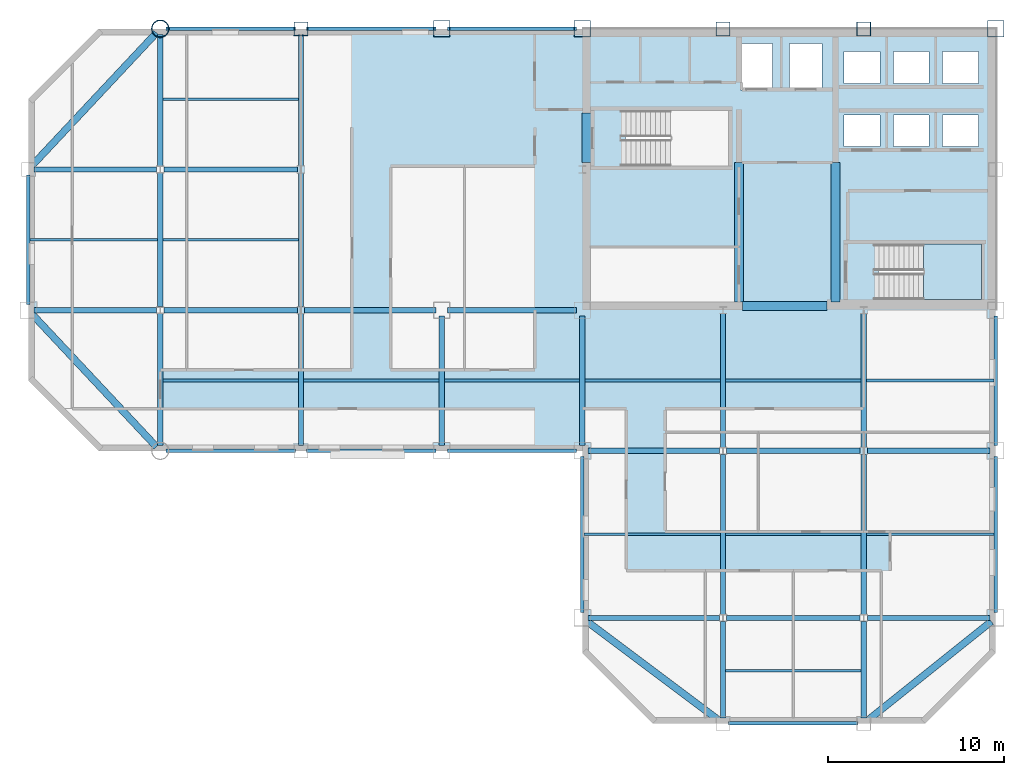
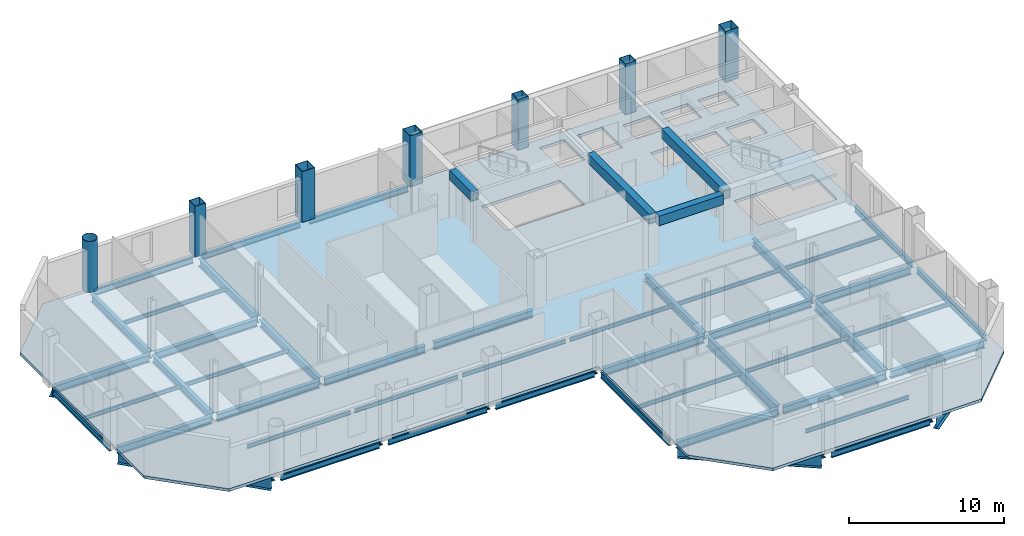
# One storey, part 3 of 9: 58 beams, 7 columns, 2 slabs, 1 element without a shape of its own.
"""IFC4 building model written with IfcOpenShell, lengths in metres."""

import ifcopenshell
import ifcopenshell.guid

model = None  # the IFC model being written
_history = None  # IfcOwnerHistory: only IFC2X3 demands one
_inside = {}  # id of a spatial element -> (the spatial element, [elements in it])
_under = {}  # id of a project, library or spatial element -> (it, [spatial elements below it])
_declared = {}  # id of a project -> (the project, [libraries it declares])
_typed = {}  # id of a type object -> (the type object, [elements of that type])
_made_of = {}  # id of a material, layer set ... -> (it, [elements and type objects made of it])


def new_model(schema):
    """Start an empty IFC model of exactly this schema.

    Asked for "IFC4X3", IfcOpenShell would pick the latest addendum, in which some entities
    have other attributes; the version numbers below select the first issue.
    IFC2X3 requires an IfcOwnerHistory on every rooted entity: one is made here for all.
    """
    global model, _history
    if schema == "IFC4X3":
        model = ifcopenshell.file(schema_version=(4, 3, 0, 0))
    else:
        model = ifcopenshell.file(schema=schema)
    _inside.clear()
    _under.clear()
    _declared.clear()
    _typed.clear()
    _made_of.clear()
    _history = None
    if model.schema == "IFC2X3":
        org = make("IfcOrganization", Name="unknown")
        user = make(
            "IfcPersonAndOrganization",
            ThePerson=make("IfcPerson", FamilyName="unknown"),
            TheOrganization=org,
        )
        app = make(
            "IfcApplication",
            ApplicationDeveloper=org,
            Version="unknown",
            ApplicationFullName="unknown",
            ApplicationIdentifier="unknown",
        )
        _history = make(
            "IfcOwnerHistory",
            OwningUser=user,
            OwningApplication=app,
            ChangeAction="ADDED",
            CreationDate=0,
        )
    return model


def make(cls, **values):
    """One entity of the class cls with the attributes given. An attribute that is None is left unset."""
    return model.create_entity(
        cls, **{name: value for name, value in values.items() if value is not None}
    )


def rooted(cls, **values):
    """An entity with a GlobalId (a new one), such as an element, a storey or a relation."""
    return make(cls, GlobalId=ifcopenshell.guid.new(), OwnerHistory=_history, **values)


def si_unit(unit_type, name, prefix=None):
    """IfcSIUnit, for example si_unit("LENGTHUNIT", "METRE", prefix="MILLI")."""
    return make("IfcSIUnit", UnitType=unit_type, Prefix=prefix, Name=name)


def assignment(units):
    """IfcUnitAssignment: the units of a project."""
    return None if units is None else make("IfcUnitAssignment", Units=units)


def point(xyz):
    """IfcCartesianPoint."""
    return None if xyz is None else make("IfcCartesianPoint", Coordinates=xyz)


def direction(xyz):
    """IfcDirection."""
    return None if xyz is None else make("IfcDirection", DirectionRatios=xyz)


def frame(location, z_axis=None, x_axis=None):
    """IfcAxis2Placement3D, a coordinate frame: its origin and axes. An axis left out is left unset."""
    return make(
        "IfcAxis2Placement3D",
        Location=point(location),
        Axis=direction(z_axis),
        RefDirection=direction(x_axis),
    )


def frame_2d(location, x_axis=None):
    """IfcAxis2Placement2D, a coordinate frame in the plane: its origin and x axis."""
    return make(
        "IfcAxis2Placement2D", Location=point(location), RefDirection=direction(x_axis)
    )


def origin():
    """The frame at (0, 0, 0) with its axes left unset."""
    return frame((0.0, 0.0, 0.0))


def origin_2d():
    """The frame at (0, 0) in the plane with its x axis left unset."""
    return frame_2d((0.0, 0.0))


def place(relative_to, where):
    """IfcLocalPlacement: puts the frame where relative to a parent placement (None: the world)."""
    return make(
        "IfcLocalPlacement", PlacementRelTo=relative_to, RelativePlacement=where
    )


def context(
    kind, dimensions, precision=None, world=None, true_north=None, identifier=None
):
    """IfcGeometricRepresentationContext, for example the 3D "Model" context."""
    return make(
        "IfcGeometricRepresentationContext",
        ContextIdentifier=identifier,
        ContextType=kind,
        CoordinateSpaceDimension=dimensions,
        Precision=precision,
        WorldCoordinateSystem=world,
        TrueNorth=true_north,
    )


def subcontext(parent, identifier, kind, view, scale=None):
    """IfcGeometricRepresentationSubContext, for example "Body" below "Model"."""
    return make(
        "IfcGeometricRepresentationSubContext",
        ContextIdentifier=identifier,
        ContextType=kind,
        ParentContext=parent,
        TargetScale=scale,
        TargetView=view,
    )


def project(units=None, contexts=None):
    """IfcProject with its units and contexts."""
    return rooted(
        "IfcProject",
        Name="project",
        RepresentationContexts=contexts,
        UnitsInContext=assignment(units),
    )


def spatial(cls, under=None, at=None, **own):
    """A site, building, storey or space (cls), placed at a placement, below another one or the project."""
    s = rooted(cls, ObjectPlacement=at, **own)
    if under is not None:
        _under.setdefault(under.id(), (under, []))[1].append(s)
    return s


def polyline(points):
    """IfcPolyline through the points."""
    return make("IfcPolyline", Points=[point(p) for p in points])


def profile(cls, at=None, kind="AREA", **sizes):
    """A parametric profile (cls). Its sizes go by their IFC names, for example OverallWidth=200.0."""
    return make(cls, ProfileType=kind, Position=at, **sizes)


def rectangle(**sizes):
    """IfcRectangleProfileDef."""
    return profile("IfcRectangleProfileDef", **sizes)


def hollow_rectangle(**sizes):
    """IfcRectangleHollowProfileDef."""
    return profile("IfcRectangleHollowProfileDef", **sizes)


def hollow_circle(**sizes):
    """IfcCircleHollowProfileDef."""
    return profile("IfcCircleHollowProfileDef", **sizes)


def i_section(**sizes):
    """IfcIShapeProfileDef."""
    return profile("IfcIShapeProfileDef", **sizes)


def outline(outer, holes=None, kind="AREA"):
    """IfcArbitraryClosedProfileDef: a profile drawn as a closed curve; with holes, ...WithVoids."""
    if holes is None:
        return make("IfcArbitraryClosedProfileDef", ProfileType=kind, OuterCurve=outer)
    return make(
        "IfcArbitraryProfileDefWithVoids",
        ProfileType=kind,
        OuterCurve=outer,
        InnerCurves=holes,
    )


def extrude(swept, where, along, depth):
    """IfcExtrudedAreaSolid: the profile swept, set in the frame where, extruded along a direction by depth."""
    return make(
        "IfcExtrudedAreaSolid",
        SweptArea=swept,
        Position=where,
        ExtrudedDirection=direction(along),
        Depth=depth,
    )


def shape(context_of_items, identifier, shape_type, items):
    """IfcShapeRepresentation: the items that make up one representation, for example the "Body"."""
    return make(
        "IfcShapeRepresentation",
        ContextOfItems=context_of_items,
        RepresentationIdentifier=identifier,
        RepresentationType=shape_type,
        Items=items,
    )


def material(Name=None, Category=None):
    """IfcMaterial."""
    return make("IfcMaterial", Name=Name, Category=Category)


def layer(
    of_material, thickness, ventilated=None, Name=None, Category=None, Priority=None
):
    """IfcMaterialLayer: one layer of a wall or slab, of a material (None: an air gap)."""
    return make(
        "IfcMaterialLayer",
        Material=of_material,
        LayerThickness=thickness,
        IsVentilated=ventilated,
        Name=Name,
        Category=Category,
        Priority=Priority,
    )


def layer_set(layers, Name=None):
    """IfcMaterialLayerSet."""
    return make("IfcMaterialLayerSet", MaterialLayers=layers, LayerSetName=Name)


def material_profile(
    of_material, cross_section, Name=None, Category=None, Priority=None
):
    """IfcMaterialProfile: a cross section and its material."""
    return make(
        "IfcMaterialProfile",
        Name=Name,
        Material=of_material,
        Profile=cross_section,
        Priority=Priority,
        Category=Category,
    )


def profile_set(profiles, Name=None, composite=None):
    """IfcMaterialProfileSet."""
    return make(
        "IfcMaterialProfileSet",
        Name=Name,
        MaterialProfiles=profiles,
        CompositeProfile=composite,
    )


def made_of(thing, what):
    """Note that an element or type object is made of a material, layer set ...; save() writes the relation."""
    if what is not None:
        _made_of.setdefault(what.id(), (what, []))[1].append(thing)
    return thing


def type_object(cls, material=None, **own):
    """A type object (cls), such as IfcWallType, which elements share."""
    return made_of(rooted(cls, **own), material)


def element(
    cls,
    number,
    at=None,
    inside=None,
    cuts=None,
    type_object=None,
    material=None,
    context=None,
    identifier="Body",
    shape_type=None,
    held_by="IfcProductDefinitionShape",
    body=None,
    shapes=None,
    **own,
):
    """One element of the class cls, such as IfcWall. Its Tag is "e" and its number.

    at: its placement. inside: the storey or other place that contains it. cuts: it is an
    opening in that element (IfcRelVoidsElement). A single representation is given by context,
    identifier, shape_type and body (its items); several are given by shapes. held_by: the class
    of the entity that holds the representations. save() writes the other relations.
    """
    e = rooted(cls, Tag="e%d" % number, ObjectPlacement=at, **own)
    if body is not None:
        shapes = [shape(context, identifier, shape_type, body)]
    if shapes is not None:
        e.Representation = make(held_by, Representations=shapes)
    if inside is not None:
        _inside.setdefault(inside.id(), (inside, []))[1].append(e)
    if cuts is not None:
        rooted(
            "IfcRelVoidsElement", RelatingBuildingElement=cuts, RelatedOpeningElement=e
        )
    if type_object is not None:
        _typed.setdefault(type_object.id(), (type_object, []))[1].append(e)
    return made_of(e, material)


def aggregate(whole, parts):
    """IfcRelAggregates: a whole, such as a stair, and the parts it consists of."""
    return rooted("IfcRelAggregates", RelatingObject=whole, RelatedObjects=parts)


def save(model, path):
    """Write the relations noted so far, then the file.

    IfcRelAggregates (storeys below a building ...), IfcRelContainedInSpatialStructure (elements
    in a storey), IfcRelDefinesByType, IfcRelAssociatesMaterial and IfcRelDeclares: one each for
    every whole, place, type object, material and project.
    """
    for whole, parts in _under.values():
        aggregate(whole, parts)
    for where, things in _inside.values():
        rooted(
            "IfcRelContainedInSpatialStructure",
            RelatedElements=things,
            RelatingStructure=where,
        )
    for kind, things in _typed.values():
        rooted("IfcRelDefinesByType", RelatedObjects=things, RelatingType=kind)
    for what, things in _made_of.values():
        rooted("IfcRelAssociatesMaterial", RelatedObjects=things, RelatingMaterial=what)
    for by, libraries in _declared.values():
        rooted("IfcRelDeclares", RelatingContext=by, RelatedDefinitions=libraries)
    model.write(path)


model = new_model("IFC4")

# Units and contexts
model_context = context("Model", 3, precision=1e-05, world=origin(), true_north=direction((0.0, 1.0)))
body_context = subcontext(model_context, "Body", "Model", "MODEL_VIEW")
ifc_project = project(units=[si_unit("LENGTHUNIT", "METRE"), si_unit("AREAUNIT", "SQUARE_METRE"), si_unit("VOLUMEUNIT", "CUBIC_METRE"), si_unit("PLANEANGLEUNIT", "RADIAN"), si_unit("MASSUNIT", "GRAM", prefix="KILO")], contexts=[model_context])

# Site, building, storey
site_placement = place(None, origin())
site = spatial("IfcSite", under=ifc_project, at=site_placement, CompositionType="ELEMENT")
building_placement = place(site_placement, origin())
building = spatial("IfcBuilding", under=site, at=building_placement, Name="Qianrong Seaharbour Tower", CompositionType="ELEMENT")
storey_placement = place(building_placement, frame((0.0, 0.0, 269.800048828125)))
storey = spatial("IfcBuildingStorey", under=building, at=storey_placement, Name="L65", CompositionType="ELEMENT", Elevation=269.800048828125)

# Columns
ifc_material_1 = material(Name="Structural steel SN490B", Category="steel")
ifc_material_profile_1 = material_profile(ifc_material_1, hollow_rectangle(XDim=0.949951171875, YDim=0.949951171875, WallThickness=0.035888671875, at=origin_2d()), Name="BOX950x950x36")
ifc_profile_set_1 = profile_set([ifc_material_profile_1], Name="Structural steel SN490B")
column_type_1 = type_object("IfcColumnType", Name="COL-CFT-950", PredefinedType="COLUMN", material=ifc_profile_set_1)
for number, where, z_axis, x_axis, name in (
    (1, (32.5, 52.0, 0.0), (0.0, 0.0, 1.0), (1.0, 0.0, 0.0), "L65 Column MC-4 at G5/GH"),
    (2, (40.5, 52.0, 0.0), (0.0, 0.0, 1.0), (1.0, 0.0, 0.0), "L65 Column MC-4 at G6/GH"),
    (3, (64.0, 52.0, 0.0), (0.0, 0.0, 1.0), (1.0, 0.0, 0.0), "L65 Column MC-4 at G9/GH"),
):
    element("IfcColumn", number, at=place(storey_placement, frame(where, z_axis=z_axis, x_axis=x_axis)), inside=storey, type_object=column_type_1, Name=name, PredefinedType="COLUMN", context=body_context, shape_type="SweptSolid", body=[
        extrude(hollow_rectangle(XDim=0.949951171875, YDim=0.949951171875, WallThickness=0.035888671875, at=origin_2d()), origin(), (0.0, 0.0, 1.0), 4.0),
    ])
ifc_material_profile_2 = material_profile(ifc_material_1, hollow_circle(Radius=0.5, WallThickness=0.035888671875, at=origin_2d()), Name="CHS1000x36")
ifc_profile_set_2 = profile_set([ifc_material_profile_2], Name="Structural steel SN490B")
column_type_2 = type_object("IfcColumnType", Name="COL-CHS-1000", PredefinedType="COLUMN", material=ifc_profile_set_2)
column_placement = place(storey_placement, frame((16.5, 52.0, 0.0), z_axis=(0.0, 0.0, 1.0), x_axis=(1.0, 0.0, 0.0)))
element("IfcColumn", 4, at=column_placement, inside=storey, type_object=column_type_2, Name="L65 Column CC-2 at G3/GH", PredefinedType="COLUMN", context=body_context, shape_type="SweptSolid", body=[
    extrude(hollow_circle(Radius=0.5, WallThickness=0.035888671875, at=origin_2d()), origin(), (0.0, 0.0, 1.0), 4.0),
])
ifc_material_profile_3 = material_profile(ifc_material_1, hollow_rectangle(XDim=0.800048828125, YDim=0.800048828125, WallThickness=0.031982421875, at=origin_2d()), Name="BOX800x800x32")
ifc_profile_set_3 = profile_set([ifc_material_profile_3], Name="Structural steel SN490B")
column_type_3 = type_object("IfcColumnType", Name="COL-PER-800", PredefinedType="COLUMN", material=ifc_profile_set_3)
for number, where, z_axis, x_axis, name in (
    (5, (24.5, 52.0, 0.0), (0.0, 0.0, 1.0), (1.0, 0.0, 0.0), "L65 Column PC-3 at G4/GH"),
    (6, (48.5, 52.0, 0.0), (0.0, 0.0, 1.0), (1.0, 0.0, 0.0), "L65 Column PC-3 at G7/GH"),
    (7, (56.5, 52.0, 0.0), (0.0, 0.0, 1.0), (1.0, 0.0, 0.0), "L65 Column PC-3 at G8/GH"),
):
    element("IfcColumn", number, at=place(storey_placement, frame(where, z_axis=z_axis, x_axis=x_axis)), inside=storey, type_object=column_type_3, Name=name, PredefinedType="COLUMN", context=body_context, shape_type="SweptSolid", body=[
        extrude(hollow_rectangle(XDim=0.800048828125, YDim=0.800048828125, WallThickness=0.031982421875, at=origin_2d()), origin(), (0.0, 0.0, 1.0), 4.0),
    ])

# Beams
ifc_material_profile_4 = material_profile(ifc_material_1, i_section(OverallWidth=0.300048828125, OverallDepth=0.587890625, WebThickness=0.011962890625, FlangeThickness=0.02001953125, FilletRadius=0.02392578125, at=origin_2d()), Name="H588x300x12x20")
ifc_profile_set_4 = profile_set([ifc_material_profile_4], Name="Structural steel SN490B")
beam_type_1 = type_object("IfcBeamType", Name="BM-G-588", PredefinedType="BEAM", material=ifc_profile_set_4)
beam_1_placement = place(storey_placement, frame((40.820068359375, 18.5, -0.51904296875), z_axis=(1.0, 0.0, 0.0), x_axis=(0.0, 1.0, 0.0)))
element("IfcBeam", 8, at=beam_1_placement, inside=storey, type_object=beam_type_1, Name="L65 Primary Girder GD G6-G7", PredefinedType="BEAM", context=body_context, shape_type="SweptSolid", body=[
    extrude(i_section(OverallWidth=0.300048828125, OverallDepth=0.587890625, WebThickness=0.011962890625, FlangeThickness=0.02001953125, FilletRadius=0.02392578125, at=origin_2d()), origin(), (0.0, 0.0, 1.0), 7.47998046875),
])
beam_2_placement = place(storey_placement, frame((48.699951171875, 18.5, -0.51904296875), z_axis=(1.0, 0.0, 0.0), x_axis=(0.0, 1.0, 0.0)))
element("IfcBeam", 9, at=beam_2_placement, inside=storey, type_object=beam_type_1, Name="L65 Primary Girder GD G7-G8", PredefinedType="BEAM", context=body_context, shape_type="SweptSolid", body=[
    extrude(i_section(OverallWidth=0.300048828125, OverallDepth=0.587890625, WebThickness=0.011962890625, FlangeThickness=0.02001953125, FilletRadius=0.02392578125, at=origin_2d()), origin(), (0.0, 0.0, 1.0), 7.60009765625),
])
beam_3_placement = place(storey_placement, frame((56.699951171875, 18.5, -0.51904296875), z_axis=(1.0, 0.0, 0.0), x_axis=(0.0, 1.0, 0.0)))
element("IfcBeam", 10, at=beam_3_placement, inside=storey, type_object=beam_type_1, Name="L65 Primary Girder GD G8-G9", PredefinedType="BEAM", context=body_context, shape_type="SweptSolid", body=[
    extrude(i_section(OverallWidth=0.300048828125, OverallDepth=0.587890625, WebThickness=0.011962890625, FlangeThickness=0.02001953125, FilletRadius=0.02392578125, at=origin_2d()), origin(), (0.0, 0.0, 1.0), 6.97998046875),
])
beam_4_placement = place(storey_placement, frame((40.820068359375, 28.0, -0.51904296875), z_axis=(1.0, 0.0, 0.0), x_axis=(0.0, 1.0, 0.0)))
element("IfcBeam", 11, at=beam_4_placement, inside=storey, type_object=beam_type_1, Name="L65 Primary Girder GE G6-G7", PredefinedType="BEAM", context=body_context, shape_type="SweptSolid", body=[
    extrude(i_section(OverallWidth=0.300048828125, OverallDepth=0.587890625, WebThickness=0.011962890625, FlangeThickness=0.02001953125, FilletRadius=0.02392578125, at=origin_2d()), origin(), (0.0, 0.0, 1.0), 7.47998046875),
])
beam_5_placement = place(storey_placement, frame((48.699951171875, 28.0, -0.51904296875), z_axis=(1.0, 0.0, 0.0), x_axis=(0.0, 1.0, 0.0)))
element("IfcBeam", 12, at=beam_5_placement, inside=storey, type_object=beam_type_1, Name="L65 Primary Girder GE G7-G8", PredefinedType="BEAM", context=body_context, shape_type="SweptSolid", body=[
    extrude(i_section(OverallWidth=0.300048828125, OverallDepth=0.587890625, WebThickness=0.011962890625, FlangeThickness=0.02001953125, FilletRadius=0.02392578125, at=origin_2d()), origin(), (0.0, 0.0, 1.0), 7.60009765625),
])
for number, where, z_axis, x_axis, name in (
    (13, (56.699951171875, 28.0, -0.51904296875), (1.0, 0.0, 0.0), (0.0, 1.0, 0.0), "L65 Primary Girder GE G8-G9"),
    (14, (9.320068359375, 36.0, -0.51904296875), (1.0, 0.0, 0.0), (0.0, 1.0, 0.0), "L65 Primary Girder GF G2-G3"),
):
    element("IfcBeam", number, at=place(storey_placement, frame(where, z_axis=z_axis, x_axis=x_axis)), inside=storey, type_object=beam_type_1, Name=name, PredefinedType="BEAM", context=body_context, shape_type="SweptSolid", body=[
        extrude(i_section(OverallWidth=0.300048828125, OverallDepth=0.587890625, WebThickness=0.011962890625, FlangeThickness=0.02001953125, FilletRadius=0.02392578125, at=origin_2d()), origin(), (0.0, 0.0, 1.0), 6.97998046875),
    ])
beam_6_placement = place(storey_placement, frame((16.699951171875, 36.0, -0.51904296875), z_axis=(1.0, 0.0, 0.0), x_axis=(0.0, 1.0, 0.0)))
element("IfcBeam", 15, at=beam_6_placement, inside=storey, type_object=beam_type_1, Name="L65 Primary Girder GF G3-G4", PredefinedType="BEAM", context=body_context, shape_type="SweptSolid", body=[
    extrude(i_section(OverallWidth=0.300048828125, OverallDepth=0.587890625, WebThickness=0.011962890625, FlangeThickness=0.02001953125, FilletRadius=0.02392578125, at=origin_2d()), origin(), (0.0, 0.0, 1.0), 7.60009765625),
])
beam_7_placement = place(storey_placement, frame((24.699951171875, 36.0, -0.51904296875), z_axis=(1.0, 0.0, 0.0), x_axis=(0.0, 1.0, 0.0)))
element("IfcBeam", 16, at=beam_7_placement, inside=storey, type_object=beam_type_1, Name="L65 Primary Girder GF G4-G5", PredefinedType="BEAM", context=body_context, shape_type="SweptSolid", body=[
    extrude(i_section(OverallWidth=0.300048828125, OverallDepth=0.587890625, WebThickness=0.011962890625, FlangeThickness=0.02001953125, FilletRadius=0.02392578125, at=origin_2d()), origin(), (0.0, 0.0, 1.0), 7.47998046875),
])
beam_8_placement = place(storey_placement, frame((32.820068359375, 36.0, -0.51904296875), z_axis=(1.0, 0.0, 0.0), x_axis=(0.0, 1.0, 0.0)))
element("IfcBeam", 17, at=beam_8_placement, inside=storey, type_object=beam_type_1, Name="L65 Primary Girder GF G5-G6", PredefinedType="BEAM", context=body_context, shape_type="SweptSolid", body=[
    extrude(i_section(OverallWidth=0.300048828125, OverallDepth=0.587890625, WebThickness=0.011962890625, FlangeThickness=0.02001953125, FilletRadius=0.02392578125, at=origin_2d()), origin(), (0.0, 0.0, 1.0), 7.35986328125),
])
beam_9_placement = place(storey_placement, frame((9.320068359375, 44.0, -0.51904296875), z_axis=(1.0, 0.0, 0.0), x_axis=(0.0, 1.0, 0.0)))
element("IfcBeam", 18, at=beam_9_placement, inside=storey, type_object=beam_type_1, Name="L65 Primary Girder GG G2-G3", PredefinedType="BEAM", context=body_context, shape_type="SweptSolid", body=[
    extrude(i_section(OverallWidth=0.300048828125, OverallDepth=0.587890625, WebThickness=0.011962890625, FlangeThickness=0.02001953125, FilletRadius=0.02392578125, at=origin_2d()), origin(), (0.0, 0.0, 1.0), 6.97998046875),
])
beam_10_placement = place(storey_placement, frame((16.699951171875, 44.0, -0.51904296875), z_axis=(1.0, 0.0, 0.0), x_axis=(0.0, 1.0, 0.0)))
element("IfcBeam", 19, at=beam_10_placement, inside=storey, type_object=beam_type_1, Name="L65 Primary Girder GG G3-G4", PredefinedType="BEAM", context=body_context, shape_type="SweptSolid", body=[
    extrude(i_section(OverallWidth=0.300048828125, OverallDepth=0.587890625, WebThickness=0.011962890625, FlangeThickness=0.02001953125, FilletRadius=0.02392578125, at=origin_2d()), origin(), (0.0, 0.0, 1.0), 7.60009765625),
])
beam_11_placement = place(storey_placement, frame((16.5, 28.320068359375, -0.51904296875), z_axis=(0.0, 1.0, 0.0), x_axis=(-1.0, 0.0, 0.0)))
element("IfcBeam", 20, at=beam_11_placement, inside=storey, type_object=beam_type_1, Name="L65 Primary Girder G3 GE-GF", PredefinedType="BEAM", context=body_context, shape_type="SweptSolid", body=[
    extrude(i_section(OverallWidth=0.300048828125, OverallDepth=0.587890625, WebThickness=0.011962890625, FlangeThickness=0.02001953125, FilletRadius=0.02392578125, at=origin_2d()), origin(), (0.0, 0.0, 1.0), 7.47998046875),
])
beam_12_placement = place(storey_placement, frame((16.5, 36.199951171875, -0.51904296875), z_axis=(0.0, 1.0, 0.0), x_axis=(-1.0, 0.0, 0.0)))
element("IfcBeam", 21, at=beam_12_placement, inside=storey, type_object=beam_type_1, Name="L65 Primary Girder G3 GF-GG", PredefinedType="BEAM", context=body_context, shape_type="SweptSolid", body=[
    extrude(i_section(OverallWidth=0.300048828125, OverallDepth=0.587890625, WebThickness=0.011962890625, FlangeThickness=0.02001953125, FilletRadius=0.02392578125, at=origin_2d()), origin(), (0.0, 0.0, 1.0), 7.60009765625),
])
for number, where, z_axis, x_axis, name in (
    (22, (16.5, 44.199951171875, -0.51904296875), (0.0, 1.0, 0.0), (-1.0, 0.0, 0.0), "L65 Primary Girder G3 GG-GH"),
    (23, (24.5, 28.320068359375, -0.51904296875), (0.0, 1.0, 0.0), (-1.0, 0.0, 0.0), "L65 Primary Girder G4 GE-GF"),
):
    element("IfcBeam", number, at=place(storey_placement, frame(where, z_axis=z_axis, x_axis=x_axis)), inside=storey, type_object=beam_type_1, Name=name, PredefinedType="BEAM", context=body_context, shape_type="SweptSolid", body=[
        extrude(i_section(OverallWidth=0.300048828125, OverallDepth=0.587890625, WebThickness=0.011962890625, FlangeThickness=0.02001953125, FilletRadius=0.02392578125, at=origin_2d()), origin(), (0.0, 0.0, 1.0), 7.47998046875),
    ])
beam_13_placement = place(storey_placement, frame((24.5, 36.199951171875, -0.51904296875), z_axis=(0.0, 1.0, 0.0), x_axis=(-1.0, 0.0, 0.0)))
element("IfcBeam", 24, at=beam_13_placement, inside=storey, type_object=beam_type_1, Name="L65 Primary Girder G4 GF-GG", PredefinedType="BEAM", context=body_context, shape_type="SweptSolid", body=[
    extrude(i_section(OverallWidth=0.300048828125, OverallDepth=0.587890625, WebThickness=0.011962890625, FlangeThickness=0.02001953125, FilletRadius=0.02392578125, at=origin_2d()), origin(), (0.0, 0.0, 1.0), 7.60009765625),
])
beam_14_placement = place(storey_placement, frame((24.5, 44.199951171875, -0.51904296875), z_axis=(0.0, 1.0, 0.0), x_axis=(-1.0, 0.0, 0.0)))
element("IfcBeam", 25, at=beam_14_placement, inside=storey, type_object=beam_type_1, Name="L65 Primary Girder G4 GG-GH", PredefinedType="BEAM", context=body_context, shape_type="SweptSolid", body=[
    extrude(i_section(OverallWidth=0.300048828125, OverallDepth=0.587890625, WebThickness=0.011962890625, FlangeThickness=0.02001953125, FilletRadius=0.02392578125, at=origin_2d()), origin(), (0.0, 0.0, 1.0), 7.47998046875),
])
for number, where, z_axis, x_axis, name in (
    (26, (32.5, 28.320068359375, -0.51904296875), (0.0, 1.0, 0.0), (-1.0, 0.0, 0.0), "L65 Primary Girder G5 GE-GF"),
    (27, (40.5, 28.320068359375, -0.51904296875), (0.0, 1.0, 0.0), (-1.0, 0.0, 0.0), "L65 Primary Girder G6 GE-GF"),
):
    element("IfcBeam", number, at=place(storey_placement, frame(where, z_axis=z_axis, x_axis=x_axis)), inside=storey, type_object=beam_type_1, Name=name, PredefinedType="BEAM", context=body_context, shape_type="SweptSolid", body=[
        extrude(i_section(OverallWidth=0.300048828125, OverallDepth=0.587890625, WebThickness=0.011962890625, FlangeThickness=0.02001953125, FilletRadius=0.02392578125, at=origin_2d()), origin(), (0.0, 0.0, 1.0), 7.35986328125),
    ])
beam_15_placement = place(storey_placement, frame((48.5, 12.820068359375, -0.51904296875), z_axis=(0.0, 1.0, 0.0), x_axis=(-1.0, 0.0, 0.0)))
element("IfcBeam", 28, at=beam_15_placement, inside=storey, type_object=beam_type_1, Name="L65 Primary Girder G7 GC-GD", PredefinedType="BEAM", context=body_context, shape_type="SweptSolid", body=[
    extrude(i_section(OverallWidth=0.300048828125, OverallDepth=0.587890625, WebThickness=0.011962890625, FlangeThickness=0.02001953125, FilletRadius=0.02392578125, at=origin_2d()), origin(), (0.0, 0.0, 1.0), 5.47998046875),
])
beam_16_placement = place(storey_placement, frame((48.5, 28.199951171875, -0.51904296875), z_axis=(0.0, 1.0, 0.0), x_axis=(-1.0, 0.0, 0.0)))
element("IfcBeam", 29, at=beam_16_placement, inside=storey, type_object=beam_type_1, Name="L65 Primary Girder G7 GE-GF", PredefinedType="BEAM", context=body_context, shape_type="SweptSolid", body=[
    extrude(i_section(OverallWidth=0.300048828125, OverallDepth=0.587890625, WebThickness=0.011962890625, FlangeThickness=0.02001953125, FilletRadius=0.02392578125, at=origin_2d()), origin(), (0.0, 0.0, 1.0), 7.60009765625),
])
beam_17_placement = place(storey_placement, frame((56.5, 12.820068359375, -0.51904296875), z_axis=(0.0, 1.0, 0.0), x_axis=(-1.0, 0.0, 0.0)))
element("IfcBeam", 30, at=beam_17_placement, inside=storey, type_object=beam_type_1, Name="L65 Primary Girder G8 GC-GD", PredefinedType="BEAM", context=body_context, shape_type="SweptSolid", body=[
    extrude(i_section(OverallWidth=0.300048828125, OverallDepth=0.587890625, WebThickness=0.011962890625, FlangeThickness=0.02001953125, FilletRadius=0.02392578125, at=origin_2d()), origin(), (0.0, 0.0, 1.0), 5.47998046875),
])
beam_18_placement = place(storey_placement, frame((56.5, 28.199951171875, -0.51904296875), z_axis=(0.0, 1.0, 0.0), x_axis=(-1.0, 0.0, 0.0)))
element("IfcBeam", 31, at=beam_18_placement, inside=storey, type_object=beam_type_1, Name="L65 Primary Girder G8 GE-GF", PredefinedType="BEAM", context=body_context, shape_type="SweptSolid", body=[
    extrude(i_section(OverallWidth=0.300048828125, OverallDepth=0.587890625, WebThickness=0.011962890625, FlangeThickness=0.02001953125, FilletRadius=0.02392578125, at=origin_2d()), origin(), (0.0, 0.0, 1.0), 7.60009765625),
])
ifc_material_profile_5 = material_profile(ifc_material_1, i_section(OverallWidth=0.300048828125, OverallDepth=0.800048828125, WebThickness=0.013916015625, FlangeThickness=0.02587890625, FilletRadius=0.028076171875, at=origin_2d()), Name="H800x300x14x26")
ifc_profile_set_5 = profile_set([ifc_material_profile_5], Name="Structural steel SN490B")
beam_type_2 = type_object("IfcBeamType", Name="BM-G-800", PredefinedType="BEAM", material=ifc_profile_set_5)
for number, where, z_axis, x_axis, name in (
    (32, (48.5, 18.699951171875, -0.625), (0.0, 1.0, 0.0), (-1.0, 0.0, 0.0), "L65 Primary Girder G7 GD-GE"),
    (33, (56.5, 18.699951171875, -0.625), (0.0, 1.0, 0.0), (-1.0, 0.0, 0.0), "L65 Primary Girder G8 GD-GE"),
):
    element("IfcBeam", number, at=place(storey_placement, frame(where, z_axis=z_axis, x_axis=x_axis)), inside=storey, type_object=beam_type_2, Name=name, PredefinedType="BEAM", context=body_context, shape_type="SweptSolid", body=[
        extrude(i_section(OverallWidth=0.300048828125, OverallDepth=0.800048828125, WebThickness=0.013916015625, FlangeThickness=0.02587890625, FilletRadius=0.028076171875, at=origin_2d()), origin(), (0.0, 0.0, 1.0), 9.10009765625),
    ])
ifc_material_2 = material(Name="Structural steel SN400B", Category="steel")
ifc_material_profile_6 = material_profile(ifc_material_2, i_section(OverallWidth=0.14990234375, OverallDepth=0.300048828125, WebThickness=0.006591796875, FlangeThickness=0.009033203125, FilletRadius=0.012939453125, at=origin_2d()), Name="H300x150x6.5x9")
ifc_profile_set_6 = profile_set([ifc_material_profile_6], Name="Structural steel SN400B")
beam_type_3 = type_object("IfcBeamType", Name="BM-J-300", PredefinedType="JOIST", material=ifc_profile_set_6)
beam_19_placement = place(storey_placement, frame((9.10009765625, 40.0, -0.375), z_axis=(1.0, 0.0, 0.0), x_axis=(0.0, 1.0, 0.0)))
element("IfcBeam", 34, at=beam_19_placement, inside=storey, type_object=beam_type_3, Name="L65 Composite Floor Joist G2-G3/GF-GG", PredefinedType="JOIST", context=body_context, shape_type="SweptSolid", body=[
    extrude(i_section(OverallWidth=0.14990234375, OverallDepth=0.300048828125, WebThickness=0.006591796875, FlangeThickness=0.009033203125, FilletRadius=0.012939453125, at=origin_2d()), origin(), (0.0, 0.0, 1.0), 7.25),
])
for number, where, z_axis, x_axis, name in (
    (35, (16.64990234375, 32.0, -0.375), (1.0, 0.0, 0.0), (0.0, 1.0, 0.0), "L65 Composite Floor Joist G3-G4/GE-GF"),
    (36, (16.64990234375, 40.0, -0.375), (1.0, 0.0, 0.0), (0.0, 1.0, 0.0), "L65 Composite Floor Joist G3-G4/GF-GG"),
    (37, (16.64990234375, 48.0, -0.375), (1.0, 0.0, 0.0), (0.0, 1.0, 0.0), "L65 Composite Floor Joist G3-G4/GG-GH"),
    (38, (24.64990234375, 32.0, -0.375), (1.0, 0.0, 0.0), (0.0, 1.0, 0.0), "L65 Composite Floor Joist G4-G5/GE-GF"),
    (39, (32.64990234375, 32.0, -0.375), (1.0, 0.0, 0.0), (0.0, 1.0, 0.0), "L65 Composite Floor Joist G5-G6/GE-GF"),
):
    element("IfcBeam", number, at=place(storey_placement, frame(where, z_axis=z_axis, x_axis=x_axis)), inside=storey, type_object=beam_type_3, Name=name, PredefinedType="JOIST", context=body_context, shape_type="SweptSolid", body=[
        extrude(i_section(OverallWidth=0.14990234375, OverallDepth=0.300048828125, WebThickness=0.006591796875, FlangeThickness=0.009033203125, FilletRadius=0.012939453125, at=origin_2d()), origin(), (0.0, 0.0, 1.0), 7.7001953125),
    ])
beam_20_placement = place(storey_placement, frame((40.60009765625, 23.25, -0.375), z_axis=(1.0, 0.0, 0.0), x_axis=(0.0, 1.0, 0.0)))
element("IfcBeam", 40, at=beam_20_placement, inside=storey, type_object=beam_type_3, Name="L65 Composite Floor Joist G6-G7/GD-GE", PredefinedType="JOIST", context=body_context, shape_type="SweptSolid", body=[
    extrude(i_section(OverallWidth=0.14990234375, OverallDepth=0.300048828125, WebThickness=0.006591796875, FlangeThickness=0.009033203125, FilletRadius=0.012939453125, at=origin_2d()), origin(), (0.0, 0.0, 1.0), 7.75),
])
for number, where, z_axis, x_axis, name in (
    (41, (40.64990234375, 32.0, -0.375), (1.0, 0.0, 0.0), (0.0, 1.0, 0.0), "L65 Composite Floor Joist G6-G7/GE-GF"),
    (42, (48.64990234375, 15.5, -0.375), (1.0, 0.0, 0.0), (0.0, 1.0, 0.0), "L65 Composite Floor Joist G7-G8/GC-GD"),
    (43, (48.64990234375, 23.25, -0.375), (1.0, 0.0, 0.0), (0.0, 1.0, 0.0), "L65 Composite Floor Joist G7-G8/GD-GE"),
    (44, (48.64990234375, 32.0, -0.375), (1.0, 0.0, 0.0), (0.0, 1.0, 0.0), "L65 Composite Floor Joist G7-G8/GE-GF"),
):
    element("IfcBeam", number, at=place(storey_placement, frame(where, z_axis=z_axis, x_axis=x_axis)), inside=storey, type_object=beam_type_3, Name=name, PredefinedType="JOIST", context=body_context, shape_type="SweptSolid", body=[
        extrude(i_section(OverallWidth=0.14990234375, OverallDepth=0.300048828125, WebThickness=0.006591796875, FlangeThickness=0.009033203125, FilletRadius=0.012939453125, at=origin_2d()), origin(), (0.0, 0.0, 1.0), 7.7001953125),
    ])
for number, where, z_axis, x_axis, name in (
    (45, (56.64990234375, 23.25, -0.375), (1.0, 0.0, 0.0), (0.0, 1.0, 0.0), "L65 Composite Floor Joist G8-G9/GD-GE"),
    (46, (56.64990234375, 32.0, -0.375), (1.0, 0.0, 0.0), (0.0, 1.0, 0.0), "L65 Composite Floor Joist G8-G9/GE-GF"),
):
    element("IfcBeam", number, at=place(storey_placement, frame(where, z_axis=z_axis, x_axis=x_axis)), inside=storey, type_object=beam_type_3, Name=name, PredefinedType="JOIST", context=body_context, shape_type="SweptSolid", body=[
        extrude(i_section(OverallWidth=0.14990234375, OverallDepth=0.300048828125, WebThickness=0.006591796875, FlangeThickness=0.009033203125, FilletRadius=0.012939453125, at=origin_2d()), origin(), (0.0, 0.0, 1.0), 7.25),
    ])
ifc_material_3 = material(Name="Concrete C60/75", Category="concrete")
ifc_material_profile_7 = material_profile(ifc_material_3, rectangle(XDim=0.5, YDim=0.75, at=origin_2d()), Name="RC500x750")
ifc_profile_set_7 = profile_set([ifc_material_profile_7], Name="Concrete C60/75")
beam_type_4 = type_object("IfcBeamType", Name="BM-LINTEL-750", PredefinedType="LINTEL", material=ifc_profile_set_7)
beam_21_placement = place(storey_placement, frame((40.72998046875, 44.39990234375, 3.39990234375), z_axis=(0.0, 1.0, 0.0), x_axis=(-1.0, 0.0, 0.0)))
element("IfcBeam", 47, at=beam_21_placement, inside=storey, type_object=beam_type_4, Name="L65 Core Coupling Lintel Beam West", PredefinedType="LINTEL", context=body_context, shape_type="SweptSolid", body=[
    extrude(rectangle(XDim=0.5, YDim=0.75, at=origin_2d()), origin(), (0.0, 0.0, 1.0), 2.800048828125),
])
beam_22_placement = place(storey_placement, frame((49.60009765625, 36.22998046875, 3.39990234375), z_axis=(1.0, 0.0, 0.0), x_axis=(0.0, 1.0, 0.0)))
element("IfcBeam", 48, at=beam_22_placement, inside=storey, type_object=beam_type_4, Name="L65 Core Coupling Lintel Beam CBC", PredefinedType="LINTEL", context=body_context, shape_type="SweptSolid", body=[
    extrude(rectangle(XDim=0.5, YDim=0.75, at=origin_2d()), origin(), (0.0, 0.0, 1.0), 4.7998046875),
])
for number, where, z_axis, x_axis, name in (
    (49, (49.39990234375, 36.4599609375, 3.39990234375), (0.0, 1.0, 0.0), (-1.0, 0.0, 0.0), "L65 Internal Core Coupling Beam IW1"),
    (50, (54.89990234375, 36.4599609375, 3.39990234375), (0.0, 1.0, 0.0), (-1.0, 0.0, 0.0), "L65 Internal Core Coupling Beam IW2"),
):
    element("IfcBeam", number, at=place(storey_placement, frame(where, z_axis=z_axis, x_axis=x_axis)), inside=storey, type_object=beam_type_4, Name=name, PredefinedType="LINTEL", context=body_context, shape_type="SweptSolid", body=[
        extrude(rectangle(XDim=0.5, YDim=0.75, at=origin_2d()), origin(), (0.0, 0.0, 1.0), 7.93994140625),
    ])
ifc_material_profile_8 = material_profile(ifc_material_2, i_section(OverallWidth=0.199951171875, OverallDepth=0.449951171875, WebThickness=0.009033203125, FlangeThickness=0.013916015625, FilletRadius=0.01806640625, at=origin_2d()), Name="H450x200x9x14")
ifc_profile_set_8 = profile_set([ifc_material_profile_8], Name="Structural steel SN400B")
beam_type_5 = type_object("IfcBeamType", Name="BM-SP-450", PredefinedType="SPANDREL", material=ifc_profile_set_8)
for number, where, z_axis, x_axis, name in (
    (51, (48.820068359375, 12.5, -0.449951171875), (1.0, 0.0, 0.0), (0.0, 1.0, 0.0), "L65 Spandrel Girder GC G7-G8"),
    (52, (16.820068359375, 28.0, -0.449951171875), (1.0, 0.0, 0.0), (0.0, 1.0, 0.0), "L65 Spandrel Girder GE G3-G4"),
    (53, (24.820068359375, 28.0, -0.449951171875), (1.0, 0.0, 0.0), (0.0, 1.0, 0.0), "L65 Spandrel Girder GE G4-G5"),
    (54, (32.820068359375, 28.0, -0.449951171875), (1.0, 0.0, 0.0), (0.0, 1.0, 0.0), "L65 Spandrel Girder GE G5-G6"),
    (55, (16.820068359375, 52.0, -0.449951171875), (1.0, 0.0, 0.0), (0.0, 1.0, 0.0), "L65 Spandrel Girder GH G3-G4"),
    (56, (24.820068359375, 52.0, -0.449951171875), (1.0, 0.0, 0.0), (0.0, 1.0, 0.0), "L65 Spandrel Girder GH G4-G5"),
    (57, (32.820068359375, 52.0, -0.449951171875), (1.0, 0.0, 0.0), (0.0, 1.0, 0.0), "L65 Spandrel Girder GH G5-G6"),
    (58, (9.0, 36.320068359375, -0.449951171875), (0.0, 1.0, 0.0), (-1.0, 0.0, 0.0), "L65 Spandrel Girder G2 GF-GG"),
):
    element("IfcBeam", number, at=place(storey_placement, frame(where, z_axis=z_axis, x_axis=x_axis)), inside=storey, type_object=beam_type_5, Name=name, PredefinedType="SPANDREL", context=body_context, shape_type="SweptSolid", body=[
        extrude(i_section(OverallWidth=0.199951171875, OverallDepth=0.449951171875, WebThickness=0.009033203125, FlangeThickness=0.013916015625, FilletRadius=0.01806640625, at=origin_2d()), origin(), (0.0, 0.0, 1.0), 7.35986328125),
    ])
for number, where, z_axis, x_axis, name in (
    (59, (40.5, 18.820068359375, -0.449951171875), (0.0, 1.0, 0.0), (-1.0, 0.0, 0.0), "L65 Spandrel Girder G6 GD-GE"),
    (60, (64.0, 18.820068359375, -0.449951171875), (0.0, 1.0, 0.0), (-1.0, 0.0, 0.0), "L65 Spandrel Girder G9 GD-GE"),
):
    element("IfcBeam", number, at=place(storey_placement, frame(where, z_axis=z_axis, x_axis=x_axis)), inside=storey, type_object=beam_type_5, Name=name, PredefinedType="SPANDREL", context=body_context, shape_type="SweptSolid", body=[
        extrude(i_section(OverallWidth=0.199951171875, OverallDepth=0.449951171875, WebThickness=0.009033203125, FlangeThickness=0.013916015625, FilletRadius=0.01806640625, at=origin_2d()), origin(), (0.0, 0.0, 1.0), 8.85986328125),
    ])
beam_23_placement = place(storey_placement, frame((64.0, 28.320068359375, -0.449951171875), z_axis=(0.0, 1.0, 0.0), x_axis=(-1.0, 0.0, 0.0)))
element("IfcBeam", 61, at=beam_23_placement, inside=storey, type_object=beam_type_5, Name="L65 Spandrel Girder G9 GE-GF", PredefinedType="SPANDREL", context=body_context, shape_type="SweptSolid", body=[
    extrude(i_section(OverallWidth=0.199951171875, OverallDepth=0.449951171875, WebThickness=0.009033203125, FlangeThickness=0.013916015625, FilletRadius=0.01806640625, at=origin_2d()), origin(), (0.0, 0.0, 1.0), 7.35986328125),
])
ifc_material_profile_9 = material_profile(ifc_material_1, i_section(OverallWidth=0.39990234375, OverallDepth=1.10009765625, WebThickness=0.02001953125, FlangeThickness=0.035888671875, at=origin_2d()), Name="BH1100x400x20x36")
ifc_profile_set_9 = profile_set([ifc_material_profile_9], Name="Structural steel SN490B")
beam_type_6 = type_object("IfcBeamType", Name="BM-TG-1100", PredefinedType="BEAM", material=ifc_profile_set_9)
for number, where, z_axis, x_axis, name in (
    (62, (16.28125, 28.2333984375, -0.775146484375), (-0.683947420573, 0.729531305628, 0.0), (-0.729531305628, -0.683947420573, 0.0), "L65 Chamfer Corner Spandrel Girder G2/GE"),
    (63, (16.28125, 51.7666015625, -0.775146484375), (-0.683947420573, -0.729531305628, 0.0), (0.729531305628, -0.683947420573, 0.0), "L65 Chamfer Corner Spandrel Girder G2/GH"),
):
    element("IfcBeam", number, at=place(storey_placement, frame(where, z_axis=z_axis, x_axis=x_axis)), inside=storey, type_object=beam_type_6, Name=name, PredefinedType="BEAM", context=body_context, shape_type="SweptSolid", body=[
        extrude(i_section(OverallWidth=0.39990234375, OverallDepth=1.10009765625, WebThickness=0.02001953125, FlangeThickness=0.035888671875, at=origin_2d()), origin(), (0.0, 0.0, 1.0), 10.326171875),
    ])
beam_24_placement = place(storey_placement, frame((48.243896484375, 12.69189453125, -0.775146484375), z_axis=(-0.799981219482, 0.600025039875, 0.0), x_axis=(-0.600025039875, -0.799981219482, 0.0)))
element("IfcBeam", 64, at=beam_24_placement, inside=storey, type_object=beam_type_6, Name="L65 Chamfer Corner Spandrel Girder G6/GC", PredefinedType="BEAM", context=body_context, shape_type="SweptSolid", body=[
    extrude(i_section(OverallWidth=0.39990234375, OverallDepth=1.10009765625, WebThickness=0.02001953125, FlangeThickness=0.035888671875, at=origin_2d()), origin(), (0.0, 0.0, 1.0), 9.35986328125),
])
beam_25_placement = place(storey_placement, frame((56.75, 12.699951171875, -0.775146484375), z_axis=(0.780863495394, 0.624701690058, 0.0), x_axis=(-0.624701690058, 0.780863495394, 0.0)))
element("IfcBeam", 65, at=beam_25_placement, inside=storey, type_object=beam_type_6, Name="L65 Chamfer Corner Spandrel Girder G9/GC", PredefinedType="BEAM", context=body_context, shape_type="SweptSolid", body=[
    extrude(i_section(OverallWidth=0.39990234375, OverallDepth=1.10009765625, WebThickness=0.02001953125, FlangeThickness=0.035888671875, at=origin_2d()), origin(), (0.0, 0.0, 1.0), 8.96435546875),
])

# Stair, slab
ifc_material_4 = material(Name="Concrete C50/60", Category="concrete")
stair_type = type_object("IfcStairType", Name="STAIR-DOGLEG-1500-R22", PredefinedType="HALF_TURN_STAIR", material=ifc_material_4)
stair_placement = place(storey_placement, origin())
stair = element("IfcStair", 66, at=stair_placement, inside=storey, type_object=stair_type, Name="L65 Protected Escape Stair ST-2", PredefinedType="HALF_TURN_STAIR")
ifc_layer_1 = layer(ifc_material_4, 0.199951171875)
ifc_layer_set_1 = layer_set([ifc_layer_1], Name="Concrete C50/60")
slab_type_1 = type_object("IfcSlabType", Name="SLAB-STAIR-LANDING-200", PredefinedType="LANDING", material=ifc_layer_set_1)
slab_1_placement = place(storey_placement, frame((0.0, 0.0, 1.800048828125)))
slab_1 = element("IfcSlab", 67, at=slab_1_placement, type_object=slab_type_1, Name="ST-2 landing 1", PredefinedType="LANDING", context=body_context, shape_type="SweptSolid", body=[
    extrude(outline(polyline([(59.89990234375, 36.60009765625), (63.199951171875, 36.60009765625), (63.199951171875, 39.75), (59.89990234375, 39.75), (59.89990234375, 36.60009765625)])), origin(), (0.0, 0.0, 1.0), 0.199951171875),
])
aggregate(stair, [slab_1])

# Slab
ifc_layer_2 = layer(ifc_material_4, 0.22509765625)
ifc_layer_set_2 = layer_set([ifc_layer_2], Name="Concrete C50/60")
slab_type_2 = type_object("IfcSlabType", Name="SLAB-Z3-225", PredefinedType="FLOOR", material=ifc_layer_set_2)
slab_2_placement = place(storey_placement, frame((0.0, 0.0, -0.22509765625)))
element("IfcSlab", 68, at=slab_2_placement, inside=storey, type_object=slab_type_2, Name="L65 Structural Floor Slab", PredefinedType="FLOOR", context=body_context, shape_type="SweptSolid", body=[
    extrude(outline(polyline([(44.5, 12.5), (60.0, 12.5), (64.0, 16.5), (64.0, 52.0), (13.0, 52.0), (9.0, 48.0), (9.0, 32.0), (13.0, 28.0), (40.5, 28.0), (40.5, 16.5), (44.5, 12.5)]), holes=[polyline([(42.93994140625, 44.199951171875), (42.93994140625, 47.35009765625), (48.800048828125, 47.35009765625), (48.800048828125, 44.199951171875), (42.93994140625, 44.199951171875)]), polyline([(57.340087890625, 36.60009765625), (57.340087890625, 39.75), (63.199951171875, 39.75), (63.199951171875, 36.60009765625), (57.340087890625, 36.60009765625)]), polyline([(49.47998046875, 48.530029296875), (49.47998046875, 51.169921875), (51.320068359375, 51.169921875), (51.320068359375, 48.530029296875), (49.47998046875, 48.530029296875)]), polyline([(52.280029296875, 48.530029296875), (52.280029296875, 51.169921875), (54.1201171875, 51.169921875), (54.1201171875, 48.530029296875), (52.280029296875, 48.530029296875)]), polyline([(55.3798828125, 45.300048828125), (55.3798828125, 47.10009765625), (57.419921875, 47.10009765625), (57.419921875, 45.300048828125), (55.3798828125, 45.300048828125)]), polyline([(58.179931640625, 45.300048828125), (58.179931640625, 47.10009765625), (60.219970703125, 47.10009765625), (60.219970703125, 45.300048828125), (58.179931640625, 45.300048828125)]), polyline([(60.97998046875, 45.300048828125), (60.97998046875, 47.10009765625), (63.02001953125, 47.10009765625), (63.02001953125, 45.300048828125), (60.97998046875, 45.300048828125)]), polyline([(55.3798828125, 48.89990234375), (55.3798828125, 50.699951171875), (57.419921875, 50.699951171875), (57.419921875, 48.89990234375), (55.3798828125, 48.89990234375)]), polyline([(58.179931640625, 48.89990234375), (58.179931640625, 50.699951171875), (60.219970703125, 50.699951171875), (60.219970703125, 48.89990234375), (58.179931640625, 48.89990234375)]), polyline([(60.97998046875, 48.89990234375), (60.97998046875, 50.699951171875), (63.02001953125, 50.699951171875), (63.02001953125, 48.89990234375), (60.97998046875, 48.89990234375)])]), origin(), (0.0, 0.0, 1.0), 0.22509765625),
])

save(model, "model.ifc")
